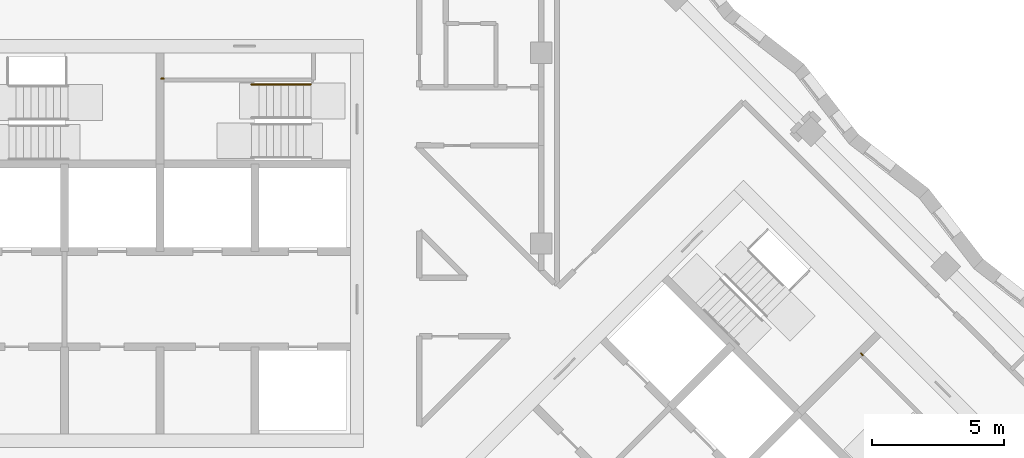
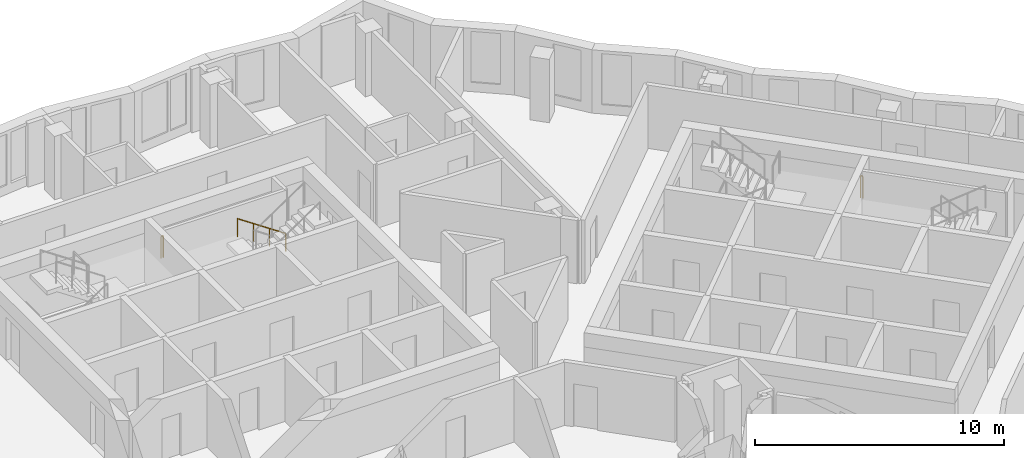
# One storey, part 12 of 13: 3 railings.
"""IFC4 building model written with IfcOpenShell, lengths in metres."""

from ifc_helpers import new_model, si_unit, direction, frame, origin, origin_2d, place, context, subcontext, project, spatial, circle, extrude, material, type_object, element, save


model = new_model("IFC4")

# Units and contexts
model_context = context("Model", 3, precision=1e-05, world=origin(), true_north=direction((0.0, 1.0)))
body_context = subcontext(model_context, "Body", "Model", "MODEL_VIEW")
ifc_project = project(units=[si_unit("LENGTHUNIT", "METRE"), si_unit("AREAUNIT", "SQUARE_METRE"), si_unit("VOLUMEUNIT", "CUBIC_METRE"), si_unit("PLANEANGLEUNIT", "RADIAN"), si_unit("MASSUNIT", "GRAM", prefix="KILO")], contexts=[model_context])

# Site, building, storey
site_placement = place(None, origin())
site = spatial("IfcSite", under=ifc_project, at=site_placement, CompositionType="ELEMENT")
building_placement = place(site_placement, origin())
building = spatial("IfcBuilding", under=site, at=building_placement, Name="Windrow Commons", CompositionType="ELEMENT")
storey_placement = place(building_placement, frame((0.0, 0.0, 203.2)))
storey = spatial("IfcBuildingStorey", under=building, at=storey_placement, Name="L55", CompositionType="ELEMENT", Elevation=203.2)

# Railings
ifc_material_1 = material(Name="Steel S355", Category="steel")
railing_type_1 = type_object("IfcRailingType", Name="Core stair guard 1100", PredefinedType="GUARDRAIL", material=ifc_material_1)
railing_1_placement = place(storey_placement, frame((64.95, 63.825, 1.7)))
element("IfcRailing", 1, at=railing_1_placement, inside=storey, type_object=railing_type_1, Name="L55 ST-A2 stair guard 3", PredefinedType="GUARDRAIL", context=body_context, shape_type="SweptSolid", body=[
    extrude(circle(Radius=0.024, at=origin_2d()), frame((0.0, 0.0, 1.076), z_axis=(-1.0, 0.0, 0.0), x_axis=(0.0, -1.0, 0.0)), (0.0, 0.0, 1.0), 0.1),
    extrude(circle(Radius=0.021, at=origin_2d()), origin(), (0.0, 0.0, 1.0), 1.052),
    extrude(circle(Radius=0.021, at=origin_2d()), frame((-0.1, 0.0, 0.0)), (0.0, 0.0, 1.0), 1.052),
])
railing_2_placement = place(storey_placement, frame((91.3446, 53.3854, 1.7)))
element("IfcRailing", 2, at=railing_2_placement, inside=storey, type_object=railing_type_1, Name="L55 ST-B2 stair guard 3", PredefinedType="GUARDRAIL", context=body_context, shape_type="SweptSolid", body=[
    extrude(circle(Radius=0.024, at=origin_2d()), frame((0.0, 0.0, 1.076), z_axis=(-0.7076063266, 0.7066068826, 0.0), x_axis=(-0.7066068826, -0.7076063266, 0.0)), (0.0, 0.0, 1.0), 0.1001),
    extrude(circle(Radius=0.021, at=origin_2d()), origin(), (0.0, 0.0, 1.0), 1.052),
    extrude(circle(Radius=0.021, at=origin_2d()), frame((-0.0708, 0.0707, 0.0)), (0.0, 0.0, 1.0), 1.052),
])
ifc_material_2 = material(Name="Steel S355", Category="steel")
railing_type_2 = type_object("IfcRailingType", Name="Core stair handrail 900", PredefinedType="HANDRAIL", material=ifc_material_2)
railing_3_placement = place(storey_placement, frame((70.5, 63.605, 0.1889)))
element("IfcRailing", 3, at=railing_3_placement, inside=storey, type_object=railing_type_2, Name="L55 ST-A2 stair handrail 1", PredefinedType="HANDRAIL", context=body_context, shape_type="SweptSolid", body=[
    extrude(circle(Radius=0.024, at=origin_2d()), frame((0.0, 0.0, 0.876), z_axis=(-0.8290030985, 0.0, 0.5592440099), x_axis=(0.0, -1.0, 0.0)), (0.0, 0.0, 1.0), 2.702),
    extrude(circle(Radius=0.021, at=origin_2d()), origin(), (0.0, 0.0, 1.0), 0.852),
    extrude(circle(Radius=0.021, at=origin_2d()), frame((-0.7467, 0.0, 0.5037)), (0.0, 0.0, 1.0), 0.852),
    extrude(circle(Radius=0.021, at=origin_2d()), frame((-1.4933, 0.0, 1.0074)), (0.0, 0.0, 1.0), 0.852),
    extrude(circle(Radius=0.021, at=origin_2d()), frame((-2.24, 0.0, 1.5111)), (0.0, 0.0, 1.0), 0.852),
])

save(model, "model.ifc")
